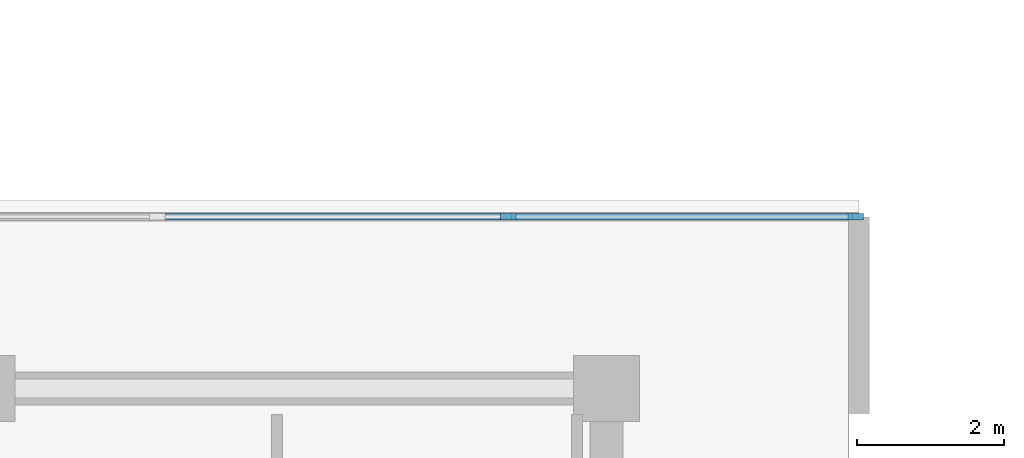
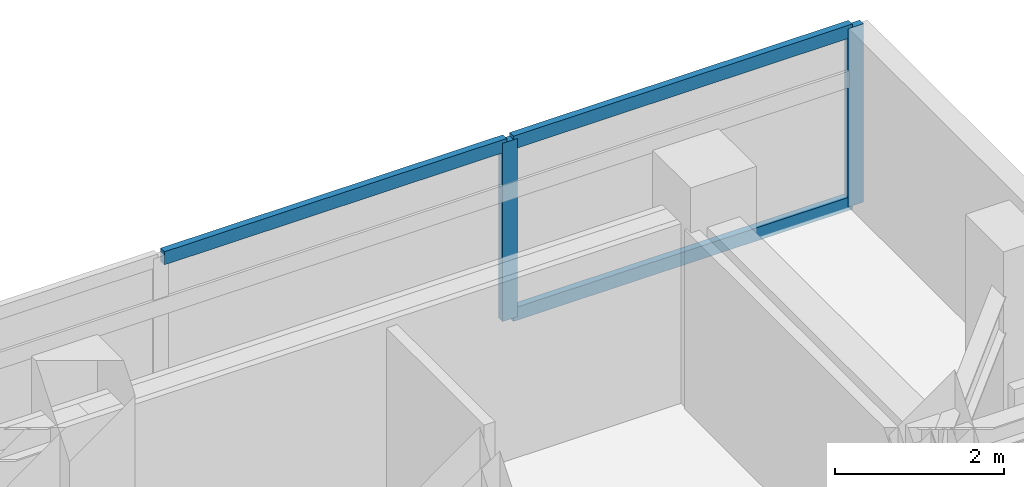
# One storey, part 9 of 21: 5 members, 1 element without a shape of its own.
"""IFC4 building model written with IfcOpenShell, lengths in metres."""

from ifc_helpers import new_model, si_unit, direction, frame, origin, origin_2d, place, context, subcontext, project, spatial, rectangle, extrude, material, material_profile, profile_set, type_object, element, aggregate, save


model = new_model("IFC4")

# Units and contexts
model_context = context("Model", 3, precision=1e-05, world=origin(), true_north=direction((0.0, 1.0)))
body_context = subcontext(model_context, "Body", "Model", "MODEL_VIEW")
ifc_project = project(units=[si_unit("LENGTHUNIT", "METRE"), si_unit("AREAUNIT", "SQUARE_METRE"), si_unit("VOLUMEUNIT", "CUBIC_METRE"), si_unit("PLANEANGLEUNIT", "RADIAN"), si_unit("MASSUNIT", "GRAM", prefix="KILO")], contexts=[model_context])

# Site, building, storey
site_placement = place(None, origin())
site = spatial("IfcSite", under=ifc_project, at=site_placement, CompositionType="ELEMENT")
building_placement = place(site_placement, origin())
building = spatial("IfcBuilding", under=site, at=building_placement, Name="Mirazonda Arch Towers", CompositionType="ELEMENT")
storey_placement = place(building_placement, frame((0.0, 0.0, 206.39990234375)))
storey = spatial("IfcBuildingStorey", under=building, at=storey_placement, Name="L59", CompositionType="ELEMENT", Elevation=206.39990234375)

# Curtain wall, members
ifc_material_1 = material(Name="Anodised Aluminium and Low-E Glass", Category="aluminium")
curtain_wall_type = type_object("IfcCurtainWallType", Name="CW-OBS-LANTERN", PredefinedType="NOTDEFINED", material=ifc_material_1)
curtain_wall_placement = place(storey_placement, origin())
curtain_wall = element("IfcCurtainWall", 1, at=curtain_wall_placement, inside=storey, type_object=curtain_wall_type, Name="L59 T2 N Facade CW-L59-T2-N", PredefinedType="NOTDEFINED")
ifc_material_2 = material(Name="Anodised Aluminium Alloy", Category="aluminium")
ifc_material_profile_1 = material_profile(ifc_material_2, rectangle(XDim=0.090087890625, YDim=0.2099609375, at=origin_2d()), Name="ALU-MULL-90x210")
ifc_profile_set_1 = profile_set([ifc_material_profile_1], Name="Anodised Aluminium Alloy")
member_type_1 = type_object("IfcMemberType", Name="MULL-CW-OBS-LANTERN", PredefinedType="MULLION", material=ifc_profile_set_1)
member_1_placement = place(storey_placement, frame((83.66259765625, 43.138427734375, 0.0), z_axis=(0.0, 0.0, 1.0), x_axis=(0.0, 1.0, 0.0)))
member_1 = element("IfcMember", 2, at=member_1_placement, type_object=member_type_1, Name="CW-110 mullion 5", PredefinedType="MULLION", context=body_context, shape_type="SweptSolid", body=[
    extrude(rectangle(XDim=0.090087890625, YDim=0.2099609375, at=origin_2d()), origin(), (0.0, 0.0, 1.0), 2.580078125),
])
member_2_placement = place(storey_placement, frame((88.392822265625, 43.138427734375, 0.0), z_axis=(0.0, 0.0, 1.0), x_axis=(0.0, 1.0, 0.0)))
member_2 = element("IfcMember", 3, at=member_2_placement, type_object=member_type_1, Name="CW-110 mullion 6", PredefinedType="MULLION", context=body_context, shape_type="SweptSolid", body=[
    extrude(rectangle(XDim=0.090087890625, YDim=0.2099609375, at=origin_2d()), origin(), (0.0, 0.0, 1.0), 2.580078125),
])
ifc_material_profile_2 = material_profile(ifc_material_2, rectangle(XDim=0.090087890625, YDim=0.18994140625, at=origin_2d()), Name="ALU-TRAN-90x190")
ifc_profile_set_2 = profile_set([ifc_material_profile_2], Name="Anodised Aluminium Alloy")
member_type_2 = type_object("IfcMemberType", Name="TRAN-CW-OBS-LANTERN", PredefinedType="USERDEFINED", material=ifc_profile_set_2)
member_3_placement = place(storey_placement, frame((78.9326171875, 43.138427734375, 2.53515625), z_axis=(1.0, 0.0, 0.0), x_axis=(0.0, 1.0, 0.0)))
member_3 = element("IfcMember", 4, at=member_3_placement, type_object=member_type_2, Name="CW-110 transom 4.2", ObjectType="TRANSOM", PredefinedType="USERDEFINED", context=body_context, shape_type="SweptSolid", body=[
    extrude(rectangle(XDim=0.090087890625, YDim=0.18994140625, at=origin_2d()), origin(), (0.0, 0.0, 1.0), 4.68505859375),
])
member_4_placement = place(storey_placement, frame((83.707763671875, 43.138427734375, 0.045166015625), z_axis=(1.0, 0.0, 0.0), x_axis=(0.0, 1.0, 0.0)))
member_4 = element("IfcMember", 5, at=member_4_placement, type_object=member_type_2, Name="CW-110 transom 5.1", ObjectType="TRANSOM", PredefinedType="USERDEFINED", context=body_context, shape_type="SweptSolid", body=[
    extrude(rectangle(XDim=0.090087890625, YDim=0.18994140625, at=origin_2d()), origin(), (0.0, 0.0, 1.0), 4.64013671875),
])
member_5_placement = place(storey_placement, frame((83.707763671875, 43.138427734375, 2.53515625), z_axis=(1.0, 0.0, 0.0), x_axis=(0.0, 1.0, 0.0)))
member_5 = element("IfcMember", 6, at=member_5_placement, type_object=member_type_2, Name="CW-110 transom 5.2", ObjectType="TRANSOM", PredefinedType="USERDEFINED", context=body_context, shape_type="SweptSolid", body=[
    extrude(rectangle(XDim=0.090087890625, YDim=0.18994140625, at=origin_2d()), origin(), (0.0, 0.0, 1.0), 4.64013671875),
])
aggregate(curtain_wall, [member_1, member_2, member_3, member_4, member_5])

save(model, "model.ifc")
